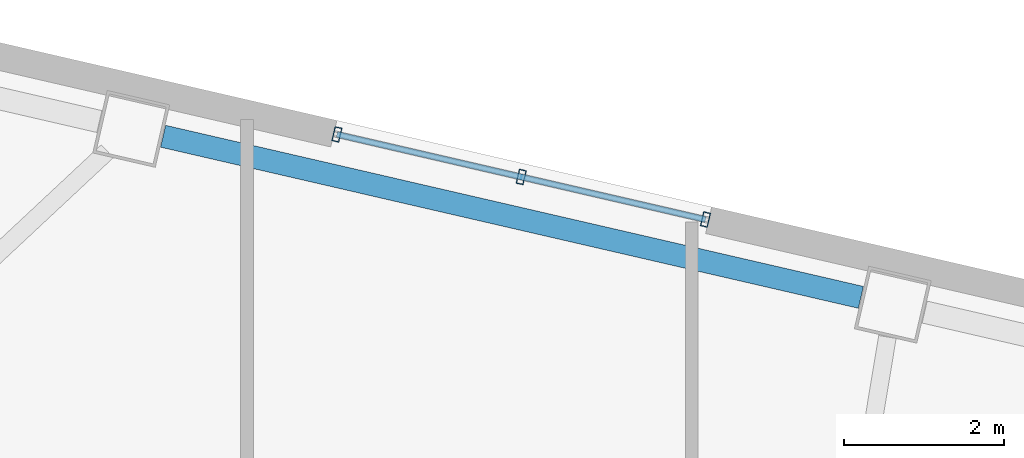
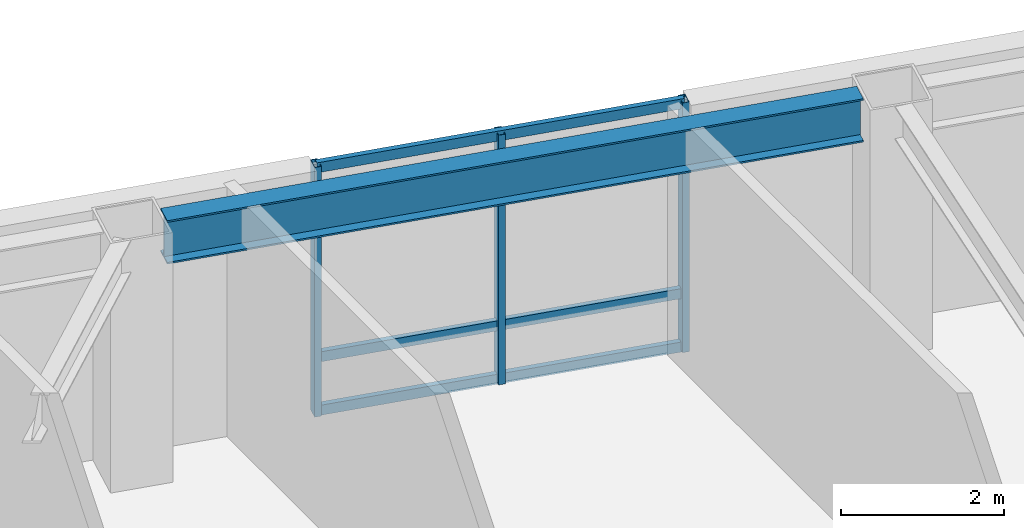
# One storey, part 7 of 21: 6 members, 1 beam, 1 element without a shape of its own.
"""IFC4 building model written with IfcOpenShell, lengths in metres."""

from ifc_helpers import new_model, si_unit, direction, frame, origin, origin_2d, place, context, subcontext, project, spatial, hollow_rectangle, i_section, extrude, material, layer, layer_set, material_profile, profile_set, type_object, element, aggregate, save


model = new_model("IFC4")

# Units and contexts
model_context = context("Model", 3, precision=1e-05, world=origin(), true_north=direction((0.0, 1.0)))
body_context = subcontext(model_context, "Body", "Model", "MODEL_VIEW")
ifc_project = project(units=[si_unit("LENGTHUNIT", "METRE"), si_unit("AREAUNIT", "SQUARE_METRE"), si_unit("VOLUMEUNIT", "CUBIC_METRE"), si_unit("PLANEANGLEUNIT", "RADIAN"), si_unit("MASSUNIT", "GRAM", prefix="KILO")], contexts=[model_context])

# Site, building, storey
site_placement = place(None, origin())
site = spatial("IfcSite", under=ifc_project, at=site_placement, CompositionType="ELEMENT")
building_placement = place(site_placement, origin())
building = spatial("IfcBuilding", under=site, at=building_placement, Name="Tavrogorsk Clinical Tower", CompositionType="ELEMENT")
storey_placement = place(building_placement, frame((0.0, 0.0, 43.39990234375)))
storey = spatial("IfcBuildingStorey", under=building, at=storey_placement, Name="L08", CompositionType="ELEMENT", Elevation=43.39990234375)

# Curtain wall, members
ifc_material_1 = material(Name="Anodised aluminium and triple IGU glazing", Category="aluminium")
ifc_layer = layer(ifc_material_1, 0.179931640625)
ifc_layer_set = layer_set([ifc_layer], Name="Anodised aluminium and triple IGU glazing")
curtain_wall_type = type_object("IfcCurtainWallType", Name="CW2_NorthSlot", PredefinedType="NOTDEFINED", material=ifc_layer_set)
curtain_wall_placement = place(storey_placement, origin())
curtain_wall = element("IfcCurtainWall", 1, at=curtain_wall_placement, inside=storey, type_object=curtain_wall_type, Name="L08 Curtain Wall CW-L08-N-SLOT-1", PredefinedType="NOTDEFINED")
ifc_material_2 = material(Name="Anodised aluminium alloy AW-6060", Category="aluminium")
ifc_material_profile_1 = material_profile(ifc_material_2, hollow_rectangle(XDim=0.090087890625, YDim=0.179931640625, WallThickness=0.00634765625, at=origin_2d()), Name="RHS-180x90x6.3")
ifc_profile_set_1 = profile_set([ifc_material_profile_1], Name="Anodised aluminium alloy AW-6060")
member_type_1 = type_object("IfcMemberType", Name="CwMullion_180x90", PredefinedType="MULLION", material=ifc_profile_set_1)
member_1_placement = place(storey_placement, frame((-3.879638671875, 24.640625, 0.0), z_axis=(0.0, 0.0, 1.0), x_axis=(-0.974370102963, 0.224950888978, 0.0)))
member_1 = element("IfcMember", 2, at=member_1_placement, type_object=member_type_1, Name="CW-L08-N-SLOT-1 Mullion 1", PredefinedType="MULLION", context=body_context, shape_type="SweptSolid", body=[
    extrude(hollow_rectangle(XDim=0.090087890625, YDim=0.179931640625, WallThickness=0.00634765625, at=origin_2d()), origin(), (0.0, 0.0, 1.0), 3.739990234375),
])
member_2_placement = place(storey_placement, frame((-6.17822265625, 25.171142578125, 0.0), z_axis=(0.0, 0.0, 1.0), x_axis=(-0.974370102963, 0.224950888978, 0.0)))
member_2 = element("IfcMember", 3, at=member_2_placement, type_object=member_type_1, Name="CW-L08-N-SLOT-1 Mullion 2", PredefinedType="MULLION", context=body_context, shape_type="SweptSolid", body=[
    extrude(hollow_rectangle(XDim=0.090087890625, YDim=0.179931640625, WallThickness=0.00634765625, at=origin_2d()), origin(), (0.0, 0.0, 1.0), 3.739990234375),
])
member_3_placement = place(storey_placement, frame((-8.476806640625, 25.701904296875, 0.0), z_axis=(0.0, 0.0, 1.0), x_axis=(-0.974370102963, 0.224950888978, 0.0)))
member_3 = element("IfcMember", 4, at=member_3_placement, type_object=member_type_1, Name="CW-L08-N-SLOT-1 Mullion 3", PredefinedType="MULLION", context=body_context, shape_type="SweptSolid", body=[
    extrude(hollow_rectangle(XDim=0.090087890625, YDim=0.179931640625, WallThickness=0.00634765625, at=origin_2d()), origin(), (0.0, 0.0, 1.0), 3.739990234375),
])
ifc_material_3 = material(Name="Anodised aluminium alloy AW-6060", Category="aluminium")
ifc_material_profile_2 = material_profile(ifc_material_3, hollow_rectangle(XDim=0.074951171875, YDim=0.14990234375, WallThickness=0.0048828125, at=origin_2d()), Name="RHS-150x75x5")
ifc_profile_set_2 = profile_set([ifc_material_profile_2], Name="Anodised aluminium alloy AW-6060")
member_type_2 = type_object("IfcMemberType", Name="CwTransom_150x75", PredefinedType="USERDEFINED", material=ifc_profile_set_2)
member_4_placement = place(storey_placement, frame((-3.879638671875, 24.640625, 0.050048828125), z_axis=(-0.974372877948, 0.22493886885, 0.0), x_axis=(-0.22493886885, -0.974372877948, 0.0)))
member_4 = element("IfcMember", 5, at=member_4_placement, type_object=member_type_2, Name="CW-L08-N-SLOT-1 Transom 1", ObjectType="TRANSOM", PredefinedType="USERDEFINED", context=body_context, shape_type="SweptSolid", body=[
    extrude(hollow_rectangle(XDim=0.074951171875, YDim=0.14990234375, WallThickness=0.0048828125, at=origin_2d()), origin(), (0.0, 0.0, 1.0), 4.718017578125),
])
member_5_placement = place(storey_placement, frame((-3.879638671875, 24.640625, 0.85009765625), z_axis=(-0.974372877948, 0.22493886885, 0.0), x_axis=(-0.22493886885, -0.974372877948, 0.0)))
member_5 = element("IfcMember", 6, at=member_5_placement, type_object=member_type_2, Name="CW-L08-N-SLOT-1 Transom 2", ObjectType="TRANSOM", PredefinedType="USERDEFINED", context=body_context, shape_type="SweptSolid", body=[
    extrude(hollow_rectangle(XDim=0.074951171875, YDim=0.14990234375, WallThickness=0.0048828125, at=origin_2d()), origin(), (0.0, 0.0, 1.0), 4.718017578125),
])
member_6_placement = place(storey_placement, frame((-3.879638671875, 24.640625, 3.690185546875), z_axis=(-0.974372877948, 0.22493886885, 0.0), x_axis=(-0.22493886885, -0.974372877948, 0.0)))
member_6 = element("IfcMember", 7, at=member_6_placement, type_object=member_type_2, Name="CW-L08-N-SLOT-1 Transom 3", ObjectType="TRANSOM", PredefinedType="USERDEFINED", context=body_context, shape_type="SweptSolid", body=[
    extrude(hollow_rectangle(XDim=0.074951171875, YDim=0.14990234375, WallThickness=0.0048828125, at=origin_2d()), origin(), (0.0, 0.0, 1.0), 4.718017578125),
])
aggregate(curtain_wall, [member_1, member_2, member_3, member_4, member_5, member_6])

# Beam
ifc_material_4 = material(Name="Structural steel S390", Category="steel")
ifc_material_profile_3 = material_profile(ifc_material_4, i_section(OverallWidth=0.280029296875, OverallDepth=0.64990234375, WebThickness=0.01611328125, FlangeThickness=0.02490234375, at=origin_2d()), Name="B-650x280x16x25")
ifc_profile_set_3 = profile_set([ifc_material_profile_3], Name="Structural steel S390")
beam_type = type_object("IfcBeamType", Name="SpandrelBeam_B650", PredefinedType="SPANDREL", material=ifc_profile_set_3)
beam_placement = place(storey_placement, frame((-1.941162109375, 23.669677734375, 3.4150390625), z_axis=(-0.974372766602, 0.224939351168, 0.0), x_axis=(-0.224939351168, -0.974372766602, 0.0)))
element("IfcBeam", 8, at=beam_placement, inside=storey, type_object=beam_type, Name="L08 Perimeter Spandrel N5-N6", PredefinedType="SPANDREL", context=body_context, shape_type="SweptSolid", body=[
    extrude(i_section(OverallWidth=0.280029296875, OverallDepth=0.64990234375, WebThickness=0.01611328125, FlangeThickness=0.02490234375, at=origin_2d()), origin(), (0.0, 0.0, 1.0), 8.9326171875),
])

save(model, "model.ifc")
